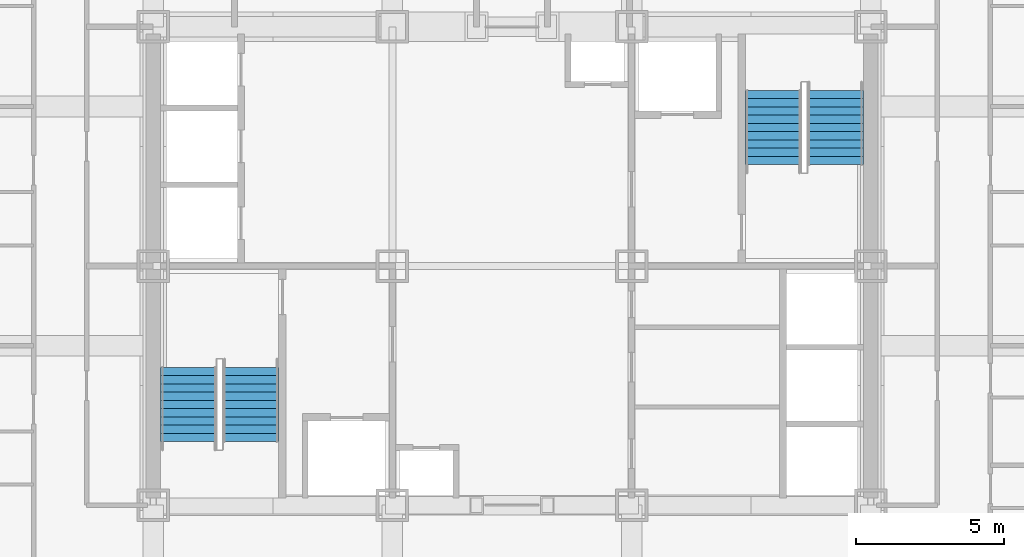
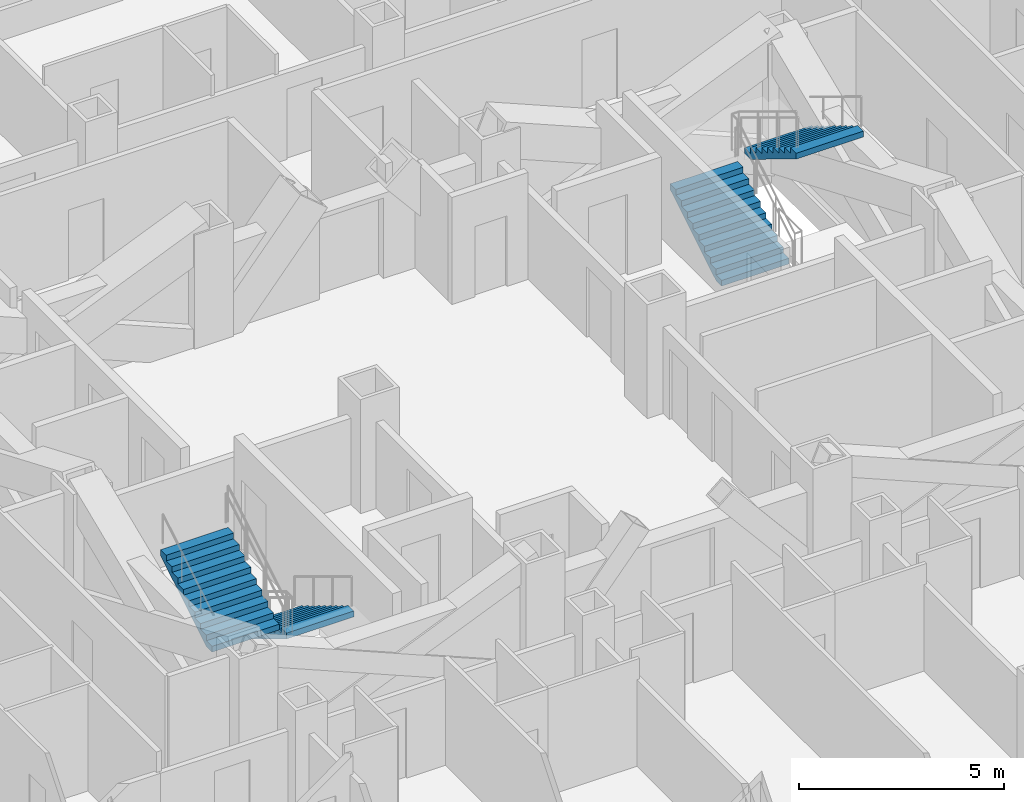
# One storey, part 11 of 12: 4 stair flights, 2 elements without a shape of their own.
"""IFC4 building model written with IfcOpenShell, lengths in metres."""

from ifc_helpers import new_model, si_unit, direction, frame, origin, place, context, subcontext, project, spatial, polygons, source, transform, mapped, material, type_object, element, aggregate, save


model = new_model("IFC4")

# Units and contexts
model_context = context("Model", 3, precision=1e-05, world=origin(), true_north=direction((0.0, 1.0)))
body_context = subcontext(model_context, "Body", "Model", "MODEL_VIEW")
ifc_project = project(units=[si_unit("LENGTHUNIT", "METRE"), si_unit("AREAUNIT", "SQUARE_METRE"), si_unit("VOLUMEUNIT", "CUBIC_METRE"), si_unit("PLANEANGLEUNIT", "RADIAN"), si_unit("MASSUNIT", "GRAM", prefix="KILO")], contexts=[model_context])

# Site, building, storey
site_placement = place(None, origin())
site = spatial("IfcSite", under=ifc_project, at=site_placement, CompositionType="ELEMENT")
building_placement = place(site_placement, origin())
building = spatial("IfcBuilding", under=site, at=building_placement, Name="Kopane Lantern Tower", CompositionType="ELEMENT")
storey_placement = place(building_placement, frame((0.0, 0.0, 103.39990234375)))
storey = spatial("IfcBuildingStorey", under=building, at=storey_placement, Name="L25", CompositionType="ELEMENT", Elevation=103.39990234375)

# Stair, stair flights
ifc_material_1 = material(Name="Steel S355JR", Category="steel")
stair_type = type_object("IfcStairType", Name="EXIT STAIR 1900 HALF TURN", PredefinedType="HALF_TURN_STAIR", material=ifc_material_1)
stair_1_placement = place(storey_placement, origin())
stair_1 = element("IfcStair", 1, at=stair_1_placement, inside=storey, type_object=stair_type, Name="Exit stair ST1 L25", PredefinedType="HALF_TURN_STAIR")
ifc_material_2 = material(Name="Steel S355JR", Category="steel")
stair_flight_type = type_object("IfcStairFlightType", Name="STAIR FLIGHT 1900 STEEL", PredefinedType="STRAIGHT", material=ifc_material_2)
shared_shape = source(origin(), body_context, "Body", "Tessellation", [
    polygons([(2.520019531, 0.949951172, 1.530029297), (2.239990234, 0.949951172, 1.530029297), (2.239990234, -0.949951172, 1.530029297), (2.520019531, -0.949951172, 1.530029297), (0.288818359, 0.949951172, 0.0), (2.520019531, 0.949951172, 1.354736328), (2.520019531, -0.949951172, 1.354736328), (0.288818359, -0.949951172, 0.0), (0.0, 0.949951172, 0.0), (0.0, -0.949951172, 0.0), (0.280029297, 0.949951172, 0.169921875), (0.0, 0.949951172, 0.169921875), (0.0, -0.949951172, 0.169921875), (0.280029297, -0.949951172, 0.169921875), (0.280029297, 0.949951172, 0.340087891), (0.280029297, -0.949951172, 0.340087891), (0.560058594, 0.949951172, 0.340087891), (0.560058594, -0.949951172, 0.340087891), (0.560058594, 0.949951172, 0.510009766), (0.560058594, -0.949951172, 0.510009766), (0.840087891, 0.949951172, 0.510009766), (0.840087891, -0.949951172, 0.510009766), (0.840087891, 0.949951172, 0.679931641), (0.840087891, -0.949951172, 0.679931641), (1.120117188, 0.949951172, 0.679931641), (1.120117188, -0.949951172, 0.679931641), (1.120117188, 0.949951172, 0.850097656), (1.120117188, -0.949951172, 0.850097656), (1.399902344, 0.949951172, 0.850097656), (1.399902344, -0.949951172, 0.850097656), (1.399902344, 0.949951172, 1.020019531), (1.399902344, -0.949951172, 1.020019531), (1.679931641, 0.949951172, 1.020019531), (1.679931641, -0.949951172, 1.020019531), (1.679931641, 0.949951172, 1.189941406), (1.679931641, -0.949951172, 1.189941406), (1.959960938, 0.949951172, 1.189941406), (1.959960938, -0.949951172, 1.189941406), (1.959960938, 0.949951172, 1.360107422), (1.959960938, -0.949951172, 1.360107422), (2.239990234, 0.949951172, 1.360107422), (2.239990234, -0.949951172, 1.360107422), (0.0, 0.0, 0.004592483), (0.0, 0.0, 0.009184966), (0.0, 0.0, 0.013777449), (0.0, 0.0, 0.018369932), (0.0, 0.0, 0.022962416), (0.0, 0.0, 0.027554899), (0.0, 0.0, 0.032147382), (0.0, 0.0, 0.036739865), (0.0, 0.0, 0.041332348), (0.0, 0.0, 0.045924831), (0.0, 0.0, 0.050517314), (0.0, 0.0, 0.055109797), (0.0, 0.0, 0.05970228), (0.0, 0.0, 0.064294764), (0.0, 0.0, 0.068887247), (0.0, 0.0, 0.07347973), (0.0, 0.0, 0.078072213), (0.0, 0.0, 0.082664696), (0.0, 0.0, 0.087257179), (0.0, 0.0, 0.091849662), (0.0, 0.0, 0.096442145), (0.0, 0.0, 0.101034628), (0.0, 0.0, 0.105627111), (0.0, 0.0, 0.110219595), (0.0, 0.0, 0.114812078), (0.0, 0.0, 0.119404561), (0.0, 0.0, 0.123997044), (0.0, 0.0, 0.128589527), (0.0, 0.0, 0.13318201), (0.0, 0.0, 0.137774493), (0.0, 0.0, 0.142366976), (0.0, 0.0, 0.146959459), (0.0, 0.0, 0.151551943), (0.0, 0.0, 0.156144426), (0.0, 0.0, 0.160736909), (0.0, 0.0, 0.165329392), (2.520019531, 0.0, 1.359473976), (2.520019531, 0.0, 1.364211624), (2.520019531, 0.0, 1.368949272), (2.520019531, 0.0, 1.373686919), (2.520019531, 0.0, 1.378424567), (2.520019531, 0.0, 1.383162215), (2.520019531, 0.0, 1.387899863), (2.520019531, 0.0, 1.392637511), (2.520019531, 0.0, 1.397375158), (2.520019531, 0.0, 1.402112806), (2.520019531, 0.0, 1.406850454), (2.520019531, 0.0, 1.411588102), (2.520019531, 0.0, 1.41632575), (2.520019531, 0.0, 1.421063397), (2.520019531, 0.0, 1.425801045), (2.520019531, 0.0, 1.430538693), (2.520019531, 0.0, 1.435276341), (2.520019531, 0.0, 1.440013989), (2.520019531, 0.0, 1.444751636), (2.520019531, 0.0, 1.449489284), (2.520019531, 0.0, 1.454226932), (2.520019531, 0.0, 1.45896458), (2.520019531, 0.0, 1.463702228), (2.520019531, 0.0, 1.468439875), (2.520019531, 0.0, 1.473177523), (2.520019531, 0.0, 1.477915171), (2.520019531, 0.0, 1.482652819), (2.520019531, 0.0, 1.487390467), (2.520019531, 0.0, 1.492128114), (2.520019531, 0.0, 1.496865762), (2.520019531, 0.0, 1.50160341), (2.520019531, 0.0, 1.506341058), (2.520019531, 0.0, 1.511078706), (2.520019531, 0.0, 1.515816353), (2.520019531, 0.0, 1.520554001), (2.520019531, 0.0, 1.525291649)], [[[1, 2, 3]], [[1, 3, 4]], [[5, 6, 7]], [[5, 7, 8]], [[9, 5, 8]], [[9, 8, 10]], [[11, 12, 13]], [[11, 13, 14]], [[15, 11, 14]], [[15, 14, 16]], [[17, 15, 16]], [[17, 16, 18]], [[19, 17, 18]], [[19, 18, 20]], [[21, 19, 20]], [[21, 20, 22]], [[23, 21, 22]], [[23, 22, 24]], [[25, 23, 24]], [[25, 24, 26]], [[27, 25, 26]], [[27, 26, 28]], [[29, 27, 28]], [[29, 28, 30]], [[31, 29, 30]], [[31, 30, 32]], [[33, 31, 32]], [[33, 32, 34]], [[35, 33, 34]], [[35, 34, 36]], [[37, 35, 36]], [[37, 36, 38]], [[39, 37, 38]], [[39, 38, 40]], [[41, 39, 40]], [[41, 40, 42]], [[2, 41, 42]], [[2, 42, 3]], [[41, 1, 6]], [[37, 41, 6]], [[2, 1, 41]], [[33, 37, 6]], [[39, 41, 37]], [[35, 37, 33]], [[31, 33, 29]], [[5, 21, 25]], [[27, 29, 25]], [[17, 21, 5]], [[23, 25, 21]], [[11, 17, 5]], [[19, 21, 17]], [[9, 11, 5]], [[15, 17, 11]], [[12, 11, 9]], [[6, 5, 25]], [[6, 25, 29]], [[6, 29, 33]], [[7, 4, 42]], [[7, 42, 38]], [[42, 4, 3]], [[7, 38, 34]], [[38, 42, 40]], [[34, 38, 36]], [[30, 34, 32]], [[26, 22, 8]], [[26, 30, 28]], [[8, 22, 18]], [[22, 26, 24]], [[8, 18, 14]], [[18, 22, 20]], [[8, 14, 10]], [[14, 18, 16]], [[10, 14, 13]], [[26, 8, 7]], [[30, 26, 7]], [[34, 30, 7]], [[10, 43, 9]], [[10, 44, 43]], [[9, 43, 44]], [[10, 45, 44]], [[9, 44, 45]], [[10, 46, 45]], [[9, 45, 46]], [[10, 47, 46]], [[9, 46, 47]], [[10, 48, 47]], [[9, 47, 48]], [[10, 49, 48]], [[9, 48, 49]], [[10, 50, 49]], [[9, 49, 50]], [[10, 51, 50]], [[9, 50, 51]], [[10, 52, 51]], [[9, 51, 52]], [[10, 53, 52]], [[9, 52, 53]], [[10, 54, 53]], [[9, 53, 54]], [[10, 55, 54]], [[9, 54, 55]], [[10, 56, 55]], [[9, 55, 56]], [[10, 57, 56]], [[9, 56, 57]], [[10, 58, 57]], [[9, 57, 58]], [[10, 59, 58]], [[9, 58, 59]], [[10, 60, 59]], [[9, 59, 60]], [[10, 61, 60]], [[9, 60, 61]], [[10, 62, 61]], [[9, 61, 62]], [[10, 63, 62]], [[9, 62, 63]], [[10, 64, 63]], [[9, 63, 64]], [[10, 65, 64]], [[9, 64, 65]], [[10, 66, 65]], [[9, 65, 66]], [[10, 67, 66]], [[9, 66, 67]], [[10, 68, 67]], [[9, 67, 68]], [[10, 69, 68]], [[9, 68, 69]], [[10, 70, 69]], [[9, 69, 70]], [[10, 71, 70]], [[9, 70, 71]], [[10, 72, 71]], [[9, 71, 72]], [[10, 73, 72]], [[9, 72, 73]], [[10, 74, 73]], [[9, 73, 74]], [[10, 75, 74]], [[9, 74, 75]], [[10, 76, 75]], [[9, 75, 76]], [[10, 77, 76]], [[9, 76, 77]], [[10, 78, 77]], [[9, 77, 78]], [[10, 13, 78]], [[78, 13, 12]], [[9, 78, 12]], [[7, 6, 79]], [[7, 79, 80]], [[6, 80, 79]], [[7, 80, 81]], [[6, 81, 80]], [[7, 81, 82]], [[6, 82, 81]], [[7, 82, 83]], [[6, 83, 82]], [[7, 83, 84]], [[6, 84, 83]], [[7, 84, 85]], [[6, 85, 84]], [[7, 85, 86]], [[6, 86, 85]], [[7, 86, 87]], [[6, 87, 86]], [[7, 87, 88]], [[6, 88, 87]], [[7, 88, 89]], [[6, 89, 88]], [[7, 89, 90]], [[6, 90, 89]], [[7, 90, 91]], [[6, 91, 90]], [[7, 91, 92]], [[6, 92, 91]], [[7, 92, 93]], [[6, 93, 92]], [[7, 93, 94]], [[6, 94, 93]], [[7, 94, 95]], [[6, 95, 94]], [[7, 95, 96]], [[6, 96, 95]], [[7, 96, 97]], [[6, 97, 96]], [[7, 97, 98]], [[6, 98, 97]], [[7, 98, 99]], [[6, 99, 98]], [[7, 99, 100]], [[6, 100, 99]], [[7, 100, 101]], [[6, 101, 100]], [[7, 101, 102]], [[6, 102, 101]], [[7, 102, 103]], [[6, 103, 102]], [[7, 103, 104]], [[6, 104, 103]], [[7, 104, 105]], [[6, 105, 104]], [[7, 105, 106]], [[6, 106, 105]], [[7, 106, 107]], [[6, 107, 106]], [[7, 107, 108]], [[6, 108, 107]], [[7, 108, 109]], [[6, 109, 108]], [[7, 109, 110]], [[6, 110, 109]], [[7, 110, 111]], [[6, 111, 110]], [[7, 111, 112]], [[6, 112, 111]], [[7, 112, 113]], [[6, 113, 112]], [[7, 113, 114]], [[6, 114, 113]], [[7, 114, 4]], [[114, 1, 4]], [[6, 1, 114]]], closed=True),
])
stair_flight_1_placement = place(storey_placement, frame((19.5, 28.969970703125, 0.0), z_axis=(0.0, 0.0, 1.0), x_axis=(0.0, -1.0, 0.0)))
stair_flight_1 = element("IfcStairFlight", 2, at=stair_flight_1_placement, type_object=stair_flight_type, Name="ST1 flight 1", NumberOfRisers=10, NumberOfTreads=9, PredefinedType="STRAIGHT", RiserHeight=0.17, TreadLength=0.28, context=body_context, shape_type="MappedRepresentation", body=[
    mapped(shared_shape, transform((0.0, 0.0, 0.0))),
])
stair_flight_2_placement = place(storey_placement, frame((17.39990234375, 26.449951171875, 1.7001953125), z_axis=(0.0, 0.0, 1.0), x_axis=(0.0, 1.0, 0.0)))
stair_flight_2 = element("IfcStairFlight", 3, at=stair_flight_2_placement, type_object=stair_flight_type, Name="ST1 flight 2", NumberOfRisers=10, NumberOfTreads=9, PredefinedType="STRAIGHT", RiserHeight=0.17, TreadLength=0.28, context=body_context, shape_type="MappedRepresentation", body=[
    mapped(shared_shape, transform((0.0, 0.0, 0.0))),
])
aggregate(stair_1, [stair_flight_1, stair_flight_2])

stair_2_placement = place(storey_placement, origin())
stair_2 = element("IfcStair", 4, at=stair_2_placement, inside=storey, type_object=stair_type, Name="Exit stair ST2 L25", PredefinedType="HALF_TURN_STAIR")
stair_flight_3_placement = place(storey_placement, frame((37.199951171875, 35.830078125, 0.0), z_axis=(0.0, 0.0, 1.0), x_axis=(0.0, 1.0, 0.0)))
stair_flight_3 = element("IfcStairFlight", 5, at=stair_flight_3_placement, type_object=stair_flight_type, Name="ST2 flight 1", NumberOfRisers=10, NumberOfTreads=9, PredefinedType="STRAIGHT", RiserHeight=0.17, TreadLength=0.28, context=body_context, shape_type="MappedRepresentation", body=[
    mapped(shared_shape, transform((0.0, 0.0, 0.0))),
])
stair_flight_4_placement = place(storey_placement, frame((39.300048828125, 38.35009765625, 1.7001953125), z_axis=(0.0, 0.0, 1.0), x_axis=(0.0, -1.0, 0.0)))
stair_flight_4 = element("IfcStairFlight", 6, at=stair_flight_4_placement, type_object=stair_flight_type, Name="ST2 flight 2", NumberOfRisers=10, NumberOfTreads=9, PredefinedType="STRAIGHT", RiserHeight=0.17, TreadLength=0.28, context=body_context, shape_type="MappedRepresentation", body=[
    mapped(shared_shape, transform((0.0, 0.0, 0.0))),
])
aggregate(stair_2, [stair_flight_3, stair_flight_4])

save(model, "model.ifc")
